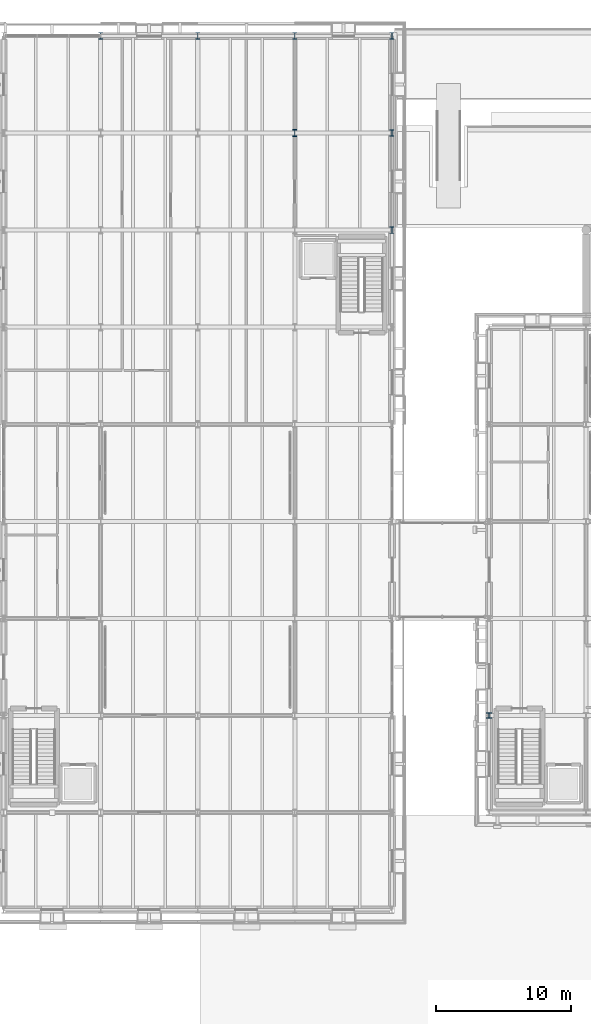
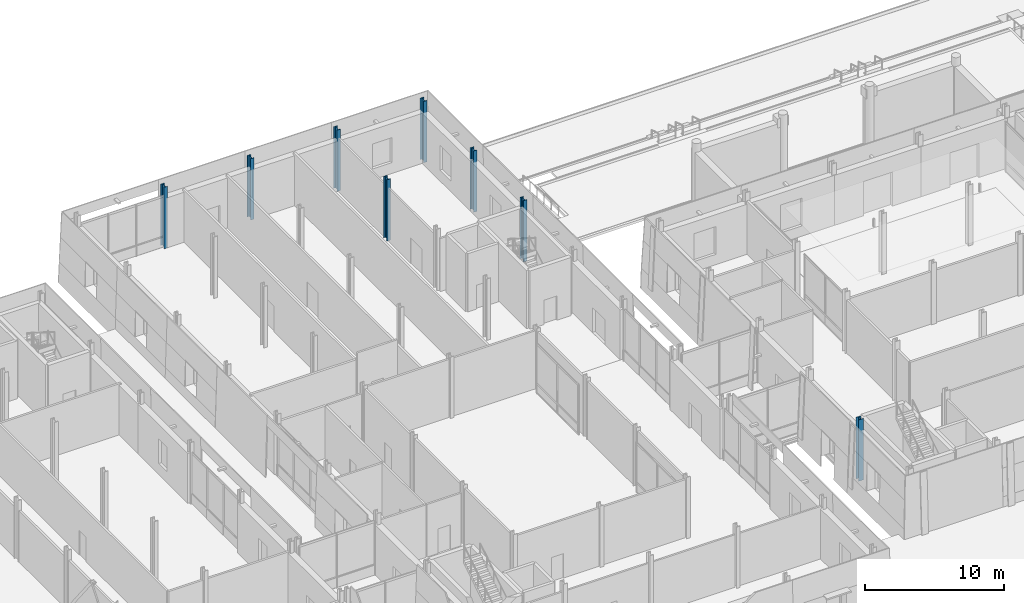
# One storey, part 11 of 120: 8 columns.
"""IFC4 building model written with IfcOpenShell, lengths in metres."""

from ifc_helpers import new_model, si_unit, direction, frame, origin, origin_2d, place, context, subcontext, project, spatial, i_section, extrude, material, material_profile, profile_set, type_object, element, save


model = new_model("IFC4")

# Units and contexts
model_context = context("Model", 3, precision=1e-05, world=origin(), true_north=direction((0.0, 1.0)))
body_context = subcontext(model_context, "Body", "Model", "MODEL_VIEW")
ifc_project = project(units=[si_unit("LENGTHUNIT", "METRE"), si_unit("AREAUNIT", "SQUARE_METRE"), si_unit("VOLUMEUNIT", "CUBIC_METRE"), si_unit("PLANEANGLEUNIT", "RADIAN"), si_unit("MASSUNIT", "GRAM", prefix="KILO")], contexts=[model_context])

# Site, building, storey
site_placement = place(None, origin())
site = spatial("IfcSite", under=ifc_project, at=site_placement, CompositionType="ELEMENT")
building_placement = place(site_placement, origin())
building = spatial("IfcBuilding", under=site, at=building_placement, Name="Narikvali Park Central Library", CompositionType="ELEMENT")
storey_placement = place(building_placement, origin())
storey = spatial("IfcBuildingStorey", under=building, at=storey_placement, Name="L00", CompositionType="ELEMENT", Elevation=0.0)

# Columns
ifc_material = material(Name="Steel S355", Category="steel")
ifc_material_profile_1 = material_profile(ifc_material, i_section(OverallWidth=0.305908203125, OverallDepth=0.52392578125, WebThickness=0.02099609375, FlangeThickness=0.0400390625, FilletRadius=0.027099609375, at=origin_2d()), Name="HEM 500")
ifc_profile_set_1 = profile_set([ifc_material_profile_1], Name="Steel S355")
column_type_1 = type_object("IfcColumnType", Name="Heavy Stack Column HEM500", PredefinedType="COLUMN", material=ifc_profile_set_1)
column_1_placement = place(storey_placement, frame((50.39990234375, 108.0, 0.0), z_axis=(0.0, 0.0, 1.0), x_axis=(1.0, 0.0, 0.0)))
element("IfcColumn", 1, at=column_1_placement, inside=storey, type_object=column_type_1, Name="V4 L00 Column (50.4,108.0)", PredefinedType="COLUMN", context=body_context, shape_type="SweptSolid", body=[
    extrude(i_section(OverallWidth=0.305908203125, OverallDepth=0.52392578125, WebThickness=0.02099609375, FlangeThickness=0.0400390625, FilletRadius=0.027099609375, at=origin_2d()), origin(), (0.0, 0.0, 1.0), 5.39990234375),
])
ifc_material_profile_2 = material_profile(ifc_material, i_section(OverallWidth=0.40087890625, OverallDepth=0.39892578125, WebThickness=0.0185546875, FlangeThickness=0.029052734375, FilletRadius=0.014892578125, at=origin_2d()), Name="HD 400x314")
ifc_profile_set_2 = profile_set([ifc_material_profile_2], Name="Steel S355")
column_type_2 = type_object("IfcColumnType", Name="Steel Column HD400x314", PredefinedType="COLUMN", material=ifc_profile_set_2)
column_2_placement = place(storey_placement, frame((64.800048828125, 64.800048828125, 0.0), z_axis=(0.0, 0.0, 1.0), x_axis=(1.0, 0.0, 0.0)))
element("IfcColumn", 2, at=column_2_placement, inside=storey, type_object=column_type_2, Name="V1 L00 Column (64.8,64.8)", PredefinedType="COLUMN", context=body_context, shape_type="SweptSolid", body=[
    extrude(i_section(OverallWidth=0.40087890625, OverallDepth=0.39892578125, WebThickness=0.0185546875, FlangeThickness=0.029052734375, FilletRadius=0.014892578125, at=origin_2d()), origin(), (0.0, 0.0, 1.0), 5.39990234375),
])
ifc_material_profile_3 = material_profile(ifc_material, i_section(OverallWidth=0.300048828125, OverallDepth=0.5, WebThickness=0.014404296875, FlangeThickness=0.028076171875, FilletRadius=0.027099609375, at=origin_2d()), Name="HEB 500")
ifc_profile_set_3 = profile_set([ifc_material_profile_3], Name="Steel S355")
column_type_3 = type_object("IfcColumnType", Name="Steel Column HEB500", PredefinedType="COLUMN", material=ifc_profile_set_3)
for number, where, z_axis, x_axis, name in (
    (3, (36.0, 115.199951171875, 0.0), (0.0, 0.0, 1.0), (1.0, 0.0, 0.0), "V4 L00 Column (36.0,115.2)"),
    (4, (43.199951171875, 115.199951171875, 0.0), (0.0, 0.0, 1.0), (1.0, 0.0, 0.0), "V4 L00 Column (43.2,115.2)"),
    (5, (50.39990234375, 115.199951171875, 0.0), (0.0, 0.0, 1.0), (1.0, 0.0, 0.0), "V4 L00 Column (50.4,115.2)"),
    (6, (57.60009765625, 100.800048828125, 0.0), (0.0, 0.0, 1.0), (1.0, 0.0, 0.0), "V4 L00 Column (57.6,100.8)"),
    (7, (57.60009765625, 108.0, 0.0), (0.0, 0.0, 1.0), (1.0, 0.0, 0.0), "V4 L00 Column (57.6,108.0)"),
    (8, (57.60009765625, 115.199951171875, 0.0), (0.0, 0.0, 1.0), (1.0, 0.0, 0.0), "V4 L00 Column (57.6,115.2)"),
):
    element("IfcColumn", number, at=place(storey_placement, frame(where, z_axis=z_axis, x_axis=x_axis)), inside=storey, type_object=column_type_3, Name=name, PredefinedType="COLUMN", context=body_context, shape_type="SweptSolid", body=[
        extrude(i_section(OverallWidth=0.300048828125, OverallDepth=0.5, WebThickness=0.014404296875, FlangeThickness=0.028076171875, FilletRadius=0.027099609375, at=origin_2d()), origin(), (0.0, 0.0, 1.0), 5.39990234375),
    ])

save(model, "model.ifc")
